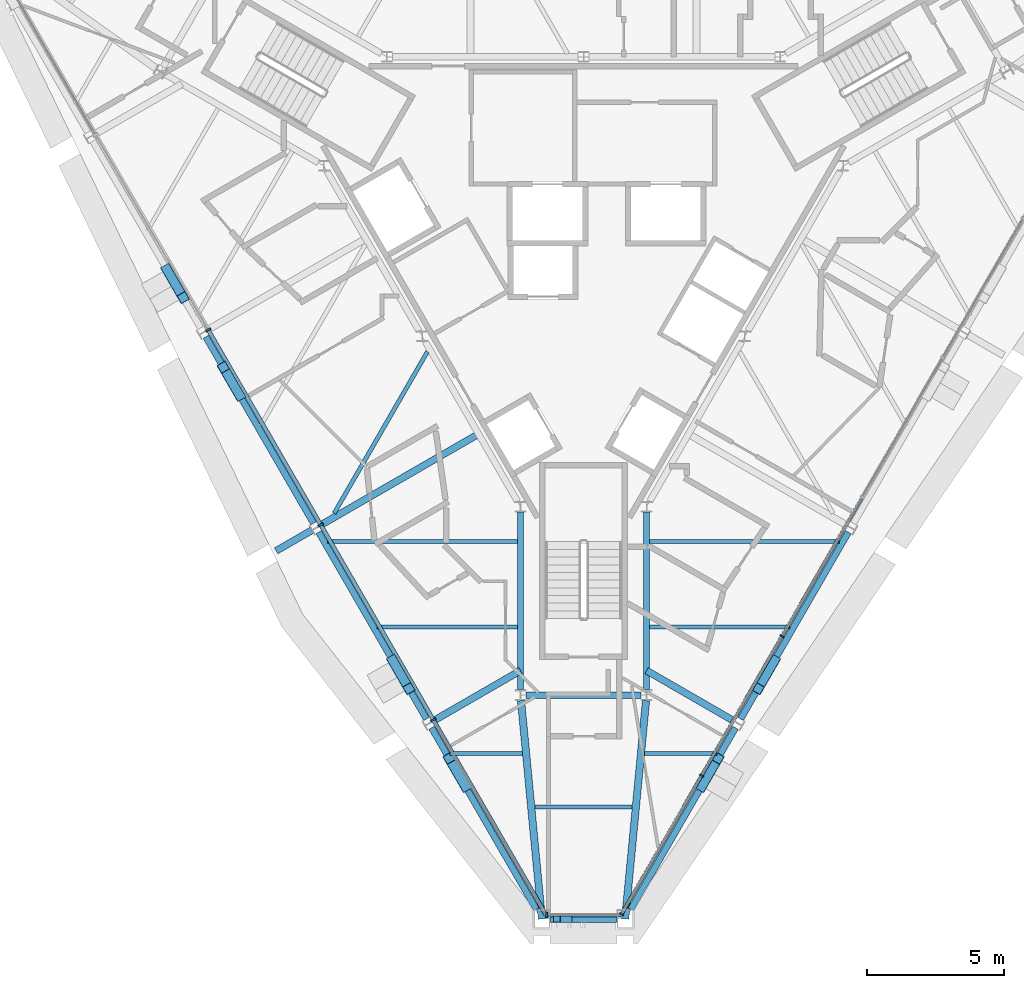
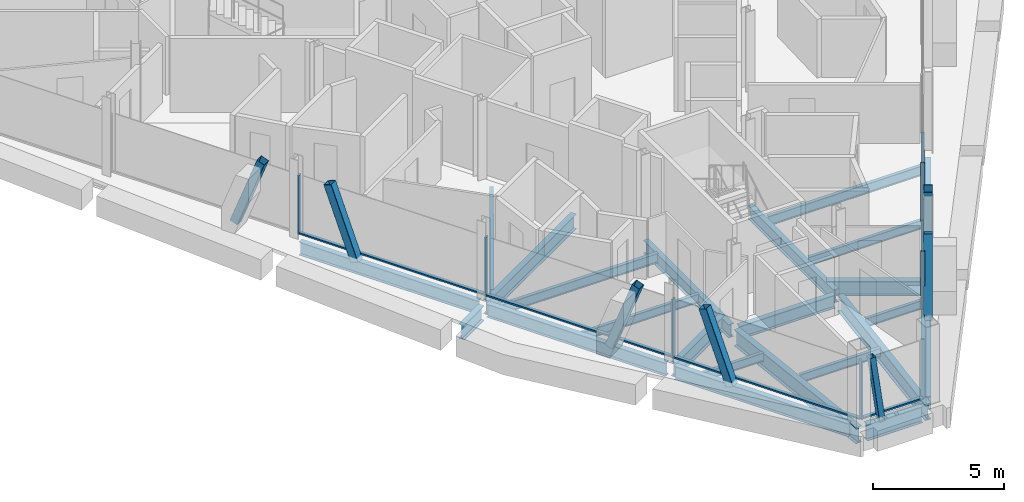
# One storey, part 3 of 15: 23 beams, 21 members, 3 elements without a shape of their own.
"""IFC4 building model written with IfcOpenShell, lengths in metres."""

from ifc_helpers import new_model, si_unit, direction, frame, origin, origin_2d, place, context, subcontext, project, spatial, rectangle, hollow_rectangle, i_section, extrude, material, material_profile, profile_set, type_object, element, aggregate, save


model = new_model("IFC4")

# Units and contexts
model_context = context("Model", 3, precision=1e-05, world=origin(), true_north=direction((0.0, 1.0)))
body_context = subcontext(model_context, "Body", "Model", "MODEL_VIEW")
ifc_project = project(units=[si_unit("LENGTHUNIT", "METRE"), si_unit("AREAUNIT", "SQUARE_METRE"), si_unit("VOLUMEUNIT", "CUBIC_METRE"), si_unit("PLANEANGLEUNIT", "RADIAN"), si_unit("MASSUNIT", "GRAM", prefix="KILO")], contexts=[model_context])

# Site, building, storey
site_placement = place(None, origin())
site = spatial("IfcSite", under=ifc_project, at=site_placement, CompositionType="ELEMENT")
building_placement = place(site_placement, origin())
building = spatial("IfcBuilding", under=site, at=building_placement, Name="Verrane Prism Tower", CompositionType="ELEMENT")
storey_placement = place(building_placement, frame((0.0, 0.0, 301.0)))
storey = spatial("IfcBuildingStorey", under=building, at=storey_placement, Name="L76", CompositionType="ELEMENT", Elevation=301.0)

# Member
ifc_material_1 = material(Name="Steel A500 Grade C", Category="steel")
ifc_material_profile_1 = material_profile(ifc_material_1, hollow_rectangle(XDim=0.25390625, YDim=0.25390625, WallThickness=0.009521484375, InnerFilletRadius=0.0048828125, OuterFilletRadius=0.014404296875, at=origin_2d()), Name="HSS10x10x3/8")
ifc_profile_set_1 = profile_set([ifc_material_profile_1], Name="Steel A500 Grade C")
member_type_1 = type_object("IfcMemberType", Name="Chamfer brace HSS10x10x3/8", PredefinedType="BRACE", material=ifc_profile_set_1)
member_1_placement = place(storey_placement, frame((-0.547119140625, -24.669921875, -0.24267578125), z_axis=(-0.135720914118, 0.0, 0.990747108737), x_axis=(0.0, -1.0, 0.0)))
element("IfcMember", 1, at=member_1_placement, inside=storey, type_object=member_type_1, Name="Chamfer brace S0 L76", PredefinedType="BRACE", context=body_context, shape_type="SweptSolid", body=[
    extrude(hollow_rectangle(XDim=0.25390625, YDim=0.25390625, WallThickness=0.009521484375, InnerFilletRadius=0.0048828125, OuterFilletRadius=0.014404296875, at=origin_2d()), origin(), (0.0, 0.0, 1.0), 3.13720703125),
])

# Beams
ifc_material_2 = material(Name="Steel A992", Category="steel")
ifc_material_profile_2 = material_profile(ifc_material_2, i_section(OverallWidth=0.2666015625, OverallDepth=0.7568359375, WebThickness=0.013916015625, FlangeThickness=0.019287109375, FilletRadius=0.0166015625, at=origin_2d()), Name="W30x108")
ifc_profile_set_2 = profile_set([ifc_material_profile_2], Name="Steel A992")
beam_type_1 = type_object("IfcBeamType", Name="Chamfer spandrel beam W30x108", PredefinedType="SPANDREL", material=ifc_profile_set_2)
beam_1_placement = place(storey_placement, frame((-1.219970703125, -24.669921875, -0.53857421875), z_axis=(1.0, 0.0, 0.0), x_axis=(0.0, 1.0, 0.0)))
element("IfcBeam", 2, at=beam_1_placement, inside=storey, type_object=beam_type_1, Name="Chamfer spandrel beam L76", PredefinedType="SPANDREL", context=body_context, shape_type="SweptSolid", body=[
    extrude(i_section(OverallWidth=0.2666015625, OverallDepth=0.7568359375, WebThickness=0.013916015625, FlangeThickness=0.019287109375, FilletRadius=0.0166015625, at=origin_2d()), origin(), (0.0, 0.0, 1.0), 2.43994140625),
])
ifc_material_3 = material(Name="Steel A992", Category="steel")
ifc_material_profile_3 = material_profile(ifc_material_3, i_section(OverallWidth=0.23046875, OverallDepth=0.6171875, WebThickness=0.01318359375, FlangeThickness=0.022216796875, FilletRadius=0.012939453125, at=origin_2d()), Name="W24x94")
ifc_profile_set_3 = profile_set([ifc_material_profile_3], Name="Steel A992")
beam_type_2 = type_object("IfcBeamType", Name="Core ring girder W24x94", PredefinedType="BEAM", material=ifc_profile_set_3)
beam_2_placement = place(storey_placement, frame((-2.300048828125, -9.81298828125, -0.55859375), z_axis=(0.0, -1.0, 0.0), x_axis=(1.0, 0.0, 0.0)))
element("IfcBeam", 3, at=beam_2_placement, inside=storey, type_object=beam_type_2, Name="Core ring girder L76", PredefinedType="BEAM", context=body_context, shape_type="SweptSolid", body=[
    extrude(i_section(OverallWidth=0.23046875, OverallDepth=0.6171875, WebThickness=0.01318359375, FlangeThickness=0.022216796875, FilletRadius=0.012939453125, at=origin_2d()), origin(), (0.0, 0.0, 1.0), 6.487548828125),
])
beam_3_placement = place(storey_placement, frame((-2.099365234375, -16.5, -0.55859375), z_axis=(1.0, 0.0, 0.0), x_axis=(0.0, 1.0, 0.0)))
element("IfcBeam", 4, at=beam_3_placement, inside=storey, type_object=beam_type_2, Name="Core ring girder L76", PredefinedType="BEAM", context=body_context, shape_type="SweptSolid", body=[
    extrude(i_section(OverallWidth=0.23046875, OverallDepth=0.6171875, WebThickness=0.01318359375, FlangeThickness=0.022216796875, FilletRadius=0.012939453125, at=origin_2d()), origin(), (0.0, 0.0, 1.0), 4.19873046875),
])
beam_4_placement = place(storey_placement, frame((2.300048828125, -16.300537109375, -0.55859375), z_axis=(0.0, 1.0, 0.0), x_axis=(-1.0, 0.0, 0.0)))
element("IfcBeam", 5, at=beam_4_placement, inside=storey, type_object=beam_type_2, Name="Core ring girder L76", PredefinedType="BEAM", context=body_context, shape_type="SweptSolid", body=[
    extrude(i_section(OverallWidth=0.23046875, OverallDepth=0.6171875, WebThickness=0.01318359375, FlangeThickness=0.022216796875, FilletRadius=0.012939453125, at=origin_2d()), origin(), (0.0, 0.0, 1.0), 6.487548828125),
])
ifc_material_4 = material(Name="Steel A992", Category="steel")
ifc_material_profile_4 = material_profile(ifc_material_4, i_section(OverallWidth=0.2666015625, OverallDepth=0.7568359375, WebThickness=0.013916015625, FlangeThickness=0.019287109375, FilletRadius=0.0166015625, at=origin_2d()), Name="W30x108")
ifc_profile_set_4 = profile_set([ifc_material_profile_4], Name="Steel A992")
beam_type_3 = type_object("IfcBeamType", Name="Corner girder W30x108", PredefinedType="BEAM", material=ifc_profile_set_4)
beam_5_placement = place(storey_placement, frame((-1.520263671875, -24.66748046875, -0.598388671875), z_axis=(-0.095042271293, 0.995473237545, 0.0), x_axis=(-0.995473237545, -0.095042271293, 0.0)))
element("IfcBeam", 6, at=beam_5_placement, inside=storey, type_object=beam_type_3, Name="Corner girder L76", PredefinedType="BEAM", context=body_context, shape_type="SweptSolid", body=[
    extrude(i_section(OverallWidth=0.2666015625, OverallDepth=0.7568359375, WebThickness=0.013916015625, FlangeThickness=0.019287109375, FilletRadius=0.0166015625, at=origin_2d()), origin(), (0.0, 0.0, 1.0), 8.004150390625),
])
beam_6_placement = place(storey_placement, frame((1.520263671875, -24.6669921875, -0.598388671875), z_axis=(0.095048043236, 0.995472686455, 0.0), x_axis=(-0.995472686455, 0.095048043236, 0.0)))
element("IfcBeam", 7, at=beam_6_placement, inside=storey, type_object=beam_type_3, Name="Corner girder L76", PredefinedType="BEAM", context=body_context, shape_type="SweptSolid", body=[
    extrude(i_section(OverallWidth=0.2666015625, OverallDepth=0.7568359375, WebThickness=0.013916015625, FlangeThickness=0.019287109375, FilletRadius=0.0166015625, at=origin_2d()), origin(), (0.0, 0.0, 1.0), 8.003662109375),
])

# Members
ifc_material_5 = material(Name="Steel A500 Grade C", Category="steel")
ifc_material_profile_5 = material_profile(ifc_material_5, hollow_rectangle(XDim=0.355712890625, YDim=0.355712890625, WallThickness=0.0126953125, InnerFilletRadius=0.00634765625, OuterFilletRadius=0.01904296875, at=origin_2d()), Name="HSS14x14x1/2")
ifc_profile_set_5 = profile_set([ifc_material_profile_5], Name="Steel A500 Grade C")
member_type_2 = type_object("IfcMemberType", Name="Facade brace HSS14x14x1/2", PredefinedType="BRACE", material=ifc_profile_set_5)
member_2_placement = place(storey_placement, frame((-15.20654296875, -0.9609375, -0.216796875), z_axis=(0.17399901277, -0.301526684269, 0.937446532997), x_axis=(0.86613421761, 0.499811481546, 0.0)))
element("IfcMember", 8, at=member_2_placement, inside=storey, type_object=member_type_2, Name="Facade brace SW1 L76", PredefinedType="BRACE", context=body_context, shape_type="SweptSolid", body=[
    extrude(hollow_rectangle(XDim=0.355712890625, YDim=0.355712890625, WallThickness=0.0126953125, InnerFilletRadius=0.00634765625, OuterFilletRadius=0.01904296875, at=origin_2d()), origin(), (0.0, 0.0, 1.0), 3.40966796875),
])
member_3_placement = place(storey_placement, frame((-12.553466796875, -5.555908203125, -0.216796875), z_axis=(-0.173952095241, 0.301139794354, 0.937579592791), x_axis=(-0.865914625179, -0.500191825104, 0.0)))
element("IfcMember", 9, at=member_3_placement, inside=storey, type_object=member_type_2, Name="Facade brace SW2 L76", PredefinedType="BRACE", context=body_context, shape_type="SweptSolid", body=[
    extrude(hollow_rectangle(XDim=0.355712890625, YDim=0.355712890625, WallThickness=0.0126953125, InnerFilletRadius=0.00634765625, OuterFilletRadius=0.01904296875, at=origin_2d()), origin(), (0.0, 0.0, 1.0), 3.4091796875),
])
member_4_placement = place(storey_placement, frame((-6.966552734375, -15.23095703125, -0.216796875), z_axis=(0.17399901277, -0.301526684269, 0.937446532997), x_axis=(0.86613421761, 0.499811481546, 0.0)))
element("IfcMember", 10, at=member_4_placement, inside=storey, type_object=member_type_2, Name="Facade brace SW3 L76", PredefinedType="BRACE", context=body_context, shape_type="SweptSolid", body=[
    extrude(hollow_rectangle(XDim=0.355712890625, YDim=0.355712890625, WallThickness=0.0126953125, InnerFilletRadius=0.00634765625, OuterFilletRadius=0.01904296875, at=origin_2d()), origin(), (0.0, 0.0, 1.0), 3.40966796875),
])
for number, where, z_axis, x_axis, name in (
    (11, (-4.3134765625, -19.8291015625, -0.216796875), (-0.173929574815, 0.301530440323, 0.937458210569), (-0.866223254293, -0.499657156181, 0.0), "Facade brace SW4 L76"),
    (12, (4.3134765625, -19.8291015625, -0.216796875), (0.173929574815, 0.301530440323, 0.937458210569), (-0.866223254293, 0.499657156181, 0.0), "Facade brace SE0 L76"),
):
    element("IfcMember", number, at=place(storey_placement, frame(where, z_axis=z_axis, x_axis=x_axis)), inside=storey, type_object=member_type_2, Name=name, PredefinedType="BRACE", context=body_context, shape_type="SweptSolid", body=[
        extrude(hollow_rectangle(XDim=0.355712890625, YDim=0.355712890625, WallThickness=0.0126953125, InnerFilletRadius=0.00634765625, OuterFilletRadius=0.01904296875, at=origin_2d()), origin(), (0.0, 0.0, 1.0), 3.409423828125),
    ])
member_5_placement = place(storey_placement, frame((6.966552734375, -15.23095703125, -0.216796875), z_axis=(-0.17399901277, -0.301526684269, 0.937446532997), x_axis=(0.86613421761, -0.499811481546, 0.0)))
element("IfcMember", 13, at=member_5_placement, inside=storey, type_object=member_type_2, Name="Facade brace SE1 L76", PredefinedType="BRACE", context=body_context, shape_type="SweptSolid", body=[
    extrude(hollow_rectangle(XDim=0.355712890625, YDim=0.355712890625, WallThickness=0.0126953125, InnerFilletRadius=0.00634765625, OuterFilletRadius=0.01904296875, at=origin_2d()), origin(), (0.0, 0.0, 1.0), 3.40966796875),
])

# Beams
ifc_material_6 = material(Name="Steel A992", Category="steel")
ifc_material_profile_6 = material_profile(ifc_material_6, i_section(OverallWidth=0.140380859375, OverallDepth=0.40380859375, WebThickness=0.007080078125, FlangeThickness=0.01123046875, FilletRadius=0.01025390625, at=origin_2d()), Name="W16x31")
ifc_profile_set_6 = profile_set([ifc_material_profile_6], Name="Steel A992")
beam_type_4 = type_object("IfcBeamType", Name="Floor beam W16x31", PredefinedType="BEAM", material=ifc_profile_set_6)
beam_7_placement = place(storey_placement, frame((-7.538330078125, -14.010009765625, -0.36181640625), z_axis=(1.0, 0.0, 0.0), x_axis=(0.0, 1.0, 0.0)))
element("IfcBeam", 14, at=beam_7_placement, inside=storey, type_object=beam_type_4, Name="Floor beam L76", PredefinedType="BEAM", context=body_context, shape_type="SweptSolid", body=[
    extrude(i_section(OverallWidth=0.140380859375, OverallDepth=0.40380859375, WebThickness=0.007080078125, FlangeThickness=0.01123046875, FilletRadius=0.01025390625, at=origin_2d()), origin(), (0.0, 0.0, 1.0), 5.123291015625),
])
for number, where, z_axis, x_axis, name in (
    (15, (-4.876220703125, -18.623291015625, -0.36181640625), (1.0, 0.0, 0.0), (0.0, 1.0, 0.0), "Floor beam L76"),
    (16, (2.2314453125, -18.623291015625, -0.36181640625), (1.0, 0.0, 0.0), (0.0, 1.0, 0.0), "Floor beam L76"),
):
    element("IfcBeam", number, at=place(storey_placement, frame(where, z_axis=z_axis, x_axis=x_axis)), inside=storey, type_object=beam_type_4, Name=name, PredefinedType="BEAM", context=body_context, shape_type="SweptSolid", body=[
        extrude(i_section(OverallWidth=0.140380859375, OverallDepth=0.40380859375, WebThickness=0.007080078125, FlangeThickness=0.01123046875, FilletRadius=0.01025390625, at=origin_2d()), origin(), (0.0, 0.0, 1.0), 2.644775390625),
    ])
beam_8_placement = place(storey_placement, frame((2.4150390625, -14.010009765625, -0.36181640625), z_axis=(1.0, 0.0, 0.0), x_axis=(0.0, 1.0, 0.0)))
element("IfcBeam", 17, at=beam_8_placement, inside=storey, type_object=beam_type_4, Name="Floor beam L76", PredefinedType="BEAM", context=body_context, shape_type="SweptSolid", body=[
    extrude(i_section(OverallWidth=0.140380859375, OverallDepth=0.40380859375, WebThickness=0.007080078125, FlangeThickness=0.01123046875, FilletRadius=0.01025390625, at=origin_2d()), origin(), (0.0, 0.0, 1.0), 5.123291015625),
])
beam_9_placement = place(storey_placement, frame((-1.77587890625, -20.5849609375, -0.36181640625), z_axis=(1.0, 0.0, 0.0), x_axis=(0.0, 1.0, 0.0)))
element("IfcBeam", 18, at=beam_9_placement, inside=storey, type_object=beam_type_4, Name="Floor beam L76", PredefinedType="BEAM", context=body_context, shape_type="SweptSolid", body=[
    extrude(i_section(OverallWidth=0.140380859375, OverallDepth=0.40380859375, WebThickness=0.007080078125, FlangeThickness=0.01123046875, FilletRadius=0.01025390625, at=origin_2d()), origin(), (0.0, 0.0, 1.0), 3.5517578125),
])
ifc_material_7 = material(Name="Steel A992", Category="steel")
ifc_material_profile_7 = material_profile(ifc_material_7, i_section(OverallWidth=0.15234375, OverallDepth=0.449462890625, WebThickness=0.007568359375, FlangeThickness=0.0107421875, FilletRadius=0.01025390625, at=origin_2d()), Name="W18x35")
ifc_profile_set_7 = profile_set([ifc_material_profile_7], Name="Steel A992")
beam_type_5 = type_object("IfcBeamType", Name="Floor beam W18x35", PredefinedType="BEAM", material=ifc_profile_set_7)
beam_10_placement = place(storey_placement, frame((-9.103271484375, -9.864501953125, -0.384765625), z_axis=(0.49999337185, 0.866029230515, 0.0), x_axis=(-0.866029230515, 0.49999337185, 0.0)))
element("IfcBeam", 19, at=beam_10_placement, inside=storey, type_object=beam_type_5, Name="Floor beam L76", PredefinedType="BEAM", context=body_context, shape_type="SweptSolid", body=[
    extrude(i_section(OverallWidth=0.15234375, OverallDepth=0.449462890625, WebThickness=0.007568359375, FlangeThickness=0.0107421875, FilletRadius=0.01025390625, at=origin_2d()), origin(), (0.0, 0.0, 1.0), 6.8125),
])
for number, where, z_axis, x_axis, name in (
    (20, (-9.338623046875, -10.889892578125, -0.384765625), (1.0, 0.0, 0.0), (0.0, 1.0, 0.0), "Floor beam L76"),
    (21, (2.4150390625, -10.889892578125, -0.384765625), (1.0, 0.0, 0.0), (0.0, 1.0, 0.0), "Floor beam L76"),
):
    element("IfcBeam", number, at=place(storey_placement, frame(where, z_axis=z_axis, x_axis=x_axis)), inside=storey, type_object=beam_type_5, Name=name, PredefinedType="BEAM", context=body_context, shape_type="SweptSolid", body=[
        extrude(i_section(OverallWidth=0.15234375, OverallDepth=0.449462890625, WebThickness=0.007568359375, FlangeThickness=0.0107421875, FilletRadius=0.01025390625, at=origin_2d()), origin(), (0.0, 0.0, 1.0), 6.923583984375),
    ])

# Curtain wall, members
ifc_material_8 = material(Name="Aluminium framed insulated glazing", Category="aluminium")
curtain_wall_type_1 = type_object("IfcCurtainWallType", Name="Curtain wall CW-B 5600 module", PredefinedType="NOTDEFINED", material=ifc_material_8)
curtain_wall_1_placement = place(storey_placement, origin())
curtain_wall_1 = element("IfcCurtainWall", 22, at=curtain_wall_1_placement, inside=storey, type_object=curtain_wall_type_1, Name="Glazed curtain wall south-east face L76", PredefinedType="NOTDEFINED")
ifc_material_9 = material(Name="Aluminium alloy 6063-T6", Category="aluminium")
ifc_material_profile_8 = material_profile(ifc_material_9, rectangle(XDim=0.159912109375, YDim=0.06005859375, at=origin_2d()), Name="Mullion 60x160 aluminium")
ifc_profile_set_8 = profile_set([ifc_material_profile_8], Name="Aluminium alloy 6063-T6")
member_type_3 = type_object("IfcMemberType", Name="Mullion 60x160 aluminium", PredefinedType="MULLION", material=ifc_profile_set_8)
member_6_placement = place(storey_placement, frame((1.3876953125, -24.490966796875, 0.0), z_axis=(0.0, 0.0, 1.0), x_axis=(-0.866024861728, 0.500000938868, 0.0)))
member_6 = element("IfcMember", 23, at=member_6_placement, type_object=member_type_3, Name="CW75.6 mullion 1", PredefinedType="MULLION", context=body_context, shape_type="SweptSolid", body=[
    extrude(rectangle(XDim=0.159912109375, YDim=0.06005859375, at=origin_2d()), origin(), (0.0, 0.0, 1.0), 2.72314453125),
])
member_7_placement = place(storey_placement, frame((4.307861328125, -19.43310546875, 0.0), z_axis=(0.0, 0.0, 1.0), x_axis=(-0.866024861728, 0.500000938868, 0.0)))
member_7 = element("IfcMember", 24, at=member_7_placement, type_object=member_type_3, Name="CW75.6 mullion 2", PredefinedType="MULLION", context=body_context, shape_type="SweptSolid", body=[
    extrude(rectangle(XDim=0.159912109375, YDim=0.06005859375, at=origin_2d()), origin(), (0.0, 0.0, 1.0), 2.72314453125),
])
member_8_placement = place(storey_placement, frame((7.242919921875, -14.349365234375, 0.0), z_axis=(0.0, 0.0, 1.0), x_axis=(-0.866024861728, 0.500000938868, 0.0)))
member_8 = element("IfcMember", 25, at=member_8_placement, type_object=member_type_3, Name="CW75.6 mullion 3", PredefinedType="MULLION", context=body_context, shape_type="SweptSolid", body=[
    extrude(rectangle(XDim=0.159912109375, YDim=0.06005859375, at=origin_2d()), origin(), (0.0, 0.0, 1.0), 2.72314453125),
])

ifc_material_10 = material(Name="Aluminium framed insulated glazing", Category="aluminium")
curtain_wall_type_2 = type_object("IfcCurtainWallType", Name="Curtain wall CW-A 8400 module", PredefinedType="NOTDEFINED", material=ifc_material_10)
curtain_wall_2_placement = place(storey_placement, origin())
curtain_wall_2 = element("IfcCurtainWall", 26, at=curtain_wall_2_placement, inside=storey, type_object=curtain_wall_type_2, Name="Glazed curtain wall south-west face L76", PredefinedType="NOTDEFINED")
ifc_material_11 = material(Name="Aluminium alloy 6063-T6", Category="aluminium")
ifc_material_profile_9 = material_profile(ifc_material_11, rectangle(XDim=0.199951171875, YDim=0.070068359375, at=origin_2d()), Name="Mullion 70x200 aluminium")
ifc_profile_set_9 = profile_set([ifc_material_profile_9], Name="Aluminium alloy 6063-T6")
member_type_4 = type_object("IfcMemberType", Name="Mullion 70x200 aluminium", PredefinedType="MULLION", material=ifc_profile_set_9)
member_9_placement = place(storey_placement, frame((-13.7001953125, -3.1650390625, 0.0), z_axis=(0.0, 0.0, 1.0), x_axis=(0.866024861728, 0.500000938868, 0.0)))
member_9 = element("IfcMember", 27, at=member_9_placement, type_object=member_type_4, Name="CW75.4 mullion 3", PredefinedType="MULLION", context=body_context, shape_type="SweptSolid", body=[
    extrude(rectangle(XDim=0.199951171875, YDim=0.070068359375, at=origin_2d()), origin(), (0.0, 0.0, 1.0), 2.72314453125),
])
member_10_placement = place(storey_placement, frame((-9.591064453125, -10.2822265625, 0.0), z_axis=(0.0, 0.0, 1.0), x_axis=(0.866024861728, 0.500000938868, 0.0)))
member_10 = element("IfcMember", 28, at=member_10_placement, type_object=member_type_4, Name="CW75.4 mullion 4", PredefinedType="MULLION", context=body_context, shape_type="SweptSolid", body=[
    extrude(rectangle(XDim=0.199951171875, YDim=0.070068359375, at=origin_2d()), origin(), (0.0, 0.0, 1.0), 2.72314453125),
])
member_11_placement = place(storey_placement, frame((-5.48193359375, -17.399658203125, 0.0), z_axis=(0.0, 0.0, 1.0), x_axis=(0.866024861728, 0.500000938868, 0.0)))
member_11 = element("IfcMember", 29, at=member_11_placement, type_object=member_type_4, Name="CW75.4 mullion 5", PredefinedType="MULLION", context=body_context, shape_type="SweptSolid", body=[
    extrude(rectangle(XDim=0.199951171875, YDim=0.070068359375, at=origin_2d()), origin(), (0.0, 0.0, 1.0), 2.72314453125),
])

# Curtain wall, member
curtain_wall_3_placement = place(storey_placement, origin())
curtain_wall_3 = element("IfcCurtainWall", 30, at=curtain_wall_3_placement, inside=storey, type_object=curtain_wall_type_2, Name="Glazed curtain wall south corner L76", PredefinedType="NOTDEFINED")
member_12_placement = place(storey_placement, frame((-1.337646484375, -24.51708984375, 0.0), z_axis=(0.0, 0.0, 1.0), x_axis=(0.0, 1.0, 0.0)))
member_12 = element("IfcMember", 31, at=member_12_placement, type_object=member_type_4, Name="CW75.5 mullion 1", PredefinedType="MULLION", context=body_context, shape_type="SweptSolid", body=[
    extrude(rectangle(XDim=0.199951171875, YDim=0.070068359375, at=origin_2d()), origin(), (0.0, 0.0, 1.0), 2.72314453125),
])

# Beams
ifc_material_12 = material(Name="Steel A992", Category="steel")
ifc_material_profile_10 = material_profile(ifc_material_12, i_section(OverallWidth=0.25390625, OverallDepth=0.683349609375, WebThickness=0.012451171875, FlangeThickness=0.01904296875, FilletRadius=0.01513671875, at=origin_2d()), Name="W27x94")
ifc_profile_set_10 = profile_set([ifc_material_profile_10], Name="Steel A992")
beam_type_6 = type_object("IfcBeamType", Name="Radial girder W27x94", PredefinedType="BEAM", material=ifc_profile_set_10)
beam_11_placement = place(storey_placement, frame((-9.6005859375, -10.2978515625, -0.5615234375), z_axis=(0.866031183428, 0.49998998923, 0.0), x_axis=(-0.49998998923, 0.866031183428, 0.0)))
element("IfcBeam", 32, at=beam_11_placement, inside=storey, type_object=beam_type_6, Name="Radial girder L76", PredefinedType="BEAM", context=body_context, shape_type="SweptSolid", body=[
    extrude(i_section(OverallWidth=0.25390625, OverallDepth=0.683349609375, WebThickness=0.012451171875, FlangeThickness=0.01904296875, FilletRadius=0.01513671875, at=origin_2d()), origin(), (0.0, 0.0, 1.0), 6.661865234375),
])
for number, where, z_axis, x_axis, name in (
    (33, (-5.48046875, -17.43798828125, -0.5615234375), (0.866029490193, 0.499992922065, 0.0), (-0.499992922065, 0.866029490193, 0.0), "Radial girder L76"),
    (34, (5.48046875, -17.43798828125, -0.5615234375), (-0.866029490193, 0.499992922065, 0.0), (-0.499992922065, -0.866029490193, 0.0), "Radial girder L76"),
):
    element("IfcBeam", number, at=place(storey_placement, frame(where, z_axis=z_axis, x_axis=x_axis)), inside=storey, type_object=beam_type_6, Name=name, PredefinedType="BEAM", context=body_context, shape_type="SweptSolid", body=[
        extrude(i_section(OverallWidth=0.25390625, OverallDepth=0.683349609375, WebThickness=0.012451171875, FlangeThickness=0.01904296875, FilletRadius=0.01513671875, at=origin_2d()), origin(), (0.0, 0.0, 1.0), 3.67236328125),
    ])
beam_12_placement = place(storey_placement, frame((-9.916015625, -10.47998046875, -0.5615234375), z_axis=(-0.86598839376, -0.500064097764, 0.0), x_axis=(0.500064097764, -0.86598839376, 0.0)))
element("IfcBeam", 35, at=beam_12_placement, inside=storey, type_object=beam_type_6, Name="Cantilever girder L76", PredefinedType="BEAM", context=body_context, shape_type="SweptSolid", body=[
    extrude(i_section(OverallWidth=0.25390625, OverallDepth=0.683349609375, WebThickness=0.012451171875, FlangeThickness=0.01904296875, FilletRadius=0.01513671875, at=origin_2d()), origin(), (0.0, 0.0, 1.0), 1.505126953125),
])
ifc_material_13 = material(Name="Steel A992", Category="steel")
ifc_material_profile_11 = material_profile(ifc_material_13, i_section(OverallWidth=0.23046875, OverallDepth=0.6171875, WebThickness=0.01318359375, FlangeThickness=0.022216796875, FilletRadius=0.012939453125, at=origin_2d()), Name="W24x94")
ifc_profile_set_11 = profile_set([ifc_material_profile_11], Name="Steel A992")
beam_type_7 = type_object("IfcBeamType", Name="Spandrel beam W24x94", PredefinedType="SPANDREL", material=ifc_profile_set_11)
beam_13_placement = place(storey_placement, frame((-13.78662109375, -3.421630859375, -0.468505859375), z_axis=(0.500300363133, -0.865851919585, 0.0), x_axis=(0.865851919585, 0.500300363133, 0.0)))
element("IfcBeam", 36, at=beam_13_placement, inside=storey, type_object=beam_type_7, Name="Spandrel beam L76", PredefinedType="SPANDREL", context=body_context, shape_type="SweptSolid", body=[
    extrude(i_section(OverallWidth=0.23046875, OverallDepth=0.6171875, WebThickness=0.01318359375, FlangeThickness=0.022216796875, FilletRadius=0.012939453125, at=origin_2d()), origin(), (0.0, 0.0, 1.0), 7.861572265625),
])
beam_14_placement = place(storey_placement, frame((-9.666748046875, -10.5517578125, -0.468505859375), z_axis=(0.499786009893, -0.866148915785, 0.0), x_axis=(0.866148915785, 0.499786009893, 0.0)))
element("IfcBeam", 37, at=beam_14_placement, inside=storey, type_object=beam_type_7, Name="Spandrel beam L76", PredefinedType="SPANDREL", context=body_context, shape_type="SweptSolid", body=[
    extrude(i_section(OverallWidth=0.23046875, OverallDepth=0.6171875, WebThickness=0.01318359375, FlangeThickness=0.022216796875, FilletRadius=0.012939453125, at=origin_2d()), origin(), (0.0, 0.0, 1.0), 7.8701171875),
])
for number, where, z_axis, x_axis, name in (
    (38, (-5.546630859375, -17.691650390625, -0.468505859375), (0.499783212018, -0.866150530211, 0.0), (0.866150530211, 0.499783212018, 0.0), "Spandrel beam L76"),
    (39, (1.721923828125, -24.320068359375, -0.468505859375), (0.499783212018, 0.866150530211, 0.0), (-0.866150530211, 0.499783212018, 0.0), "Spandrel beam L76"),
):
    element("IfcBeam", number, at=place(storey_placement, frame(where, z_axis=z_axis, x_axis=x_axis)), inside=storey, type_object=beam_type_7, Name=name, PredefinedType="SPANDREL", context=body_context, shape_type="SweptSolid", body=[
        extrude(i_section(OverallWidth=0.23046875, OverallDepth=0.6171875, WebThickness=0.01318359375, FlangeThickness=0.022216796875, FilletRadius=0.012939453125, at=origin_2d()), origin(), (0.0, 0.0, 1.0), 7.65283203125),
    ])
beam_15_placement = place(storey_placement, frame((5.7333984375, -17.368408203125, -0.468505859375), z_axis=(0.499786009893, 0.866148915785, 0.0), x_axis=(-0.866148915785, 0.499786009893, 0.0)))
element("IfcBeam", 40, at=beam_15_placement, inside=storey, type_object=beam_type_7, Name="Spandrel beam L76", PredefinedType="SPANDREL", context=body_context, shape_type="SweptSolid", body=[
    extrude(i_section(OverallWidth=0.23046875, OverallDepth=0.6171875, WebThickness=0.01318359375, FlangeThickness=0.022216796875, FilletRadius=0.012939453125, at=origin_2d()), origin(), (0.0, 0.0, 1.0), 7.8701171875),
])

# Member
ifc_material_14 = material(Name="Aluminium alloy 6063-T6", Category="aluminium")
ifc_material_profile_12 = material_profile(ifc_material_14, rectangle(XDim=0.1201171875, YDim=0.06005859375, at=origin_2d()), Name="Transom 60x120 aluminium")
ifc_profile_set_12 = profile_set([ifc_material_profile_12], Name="Aluminium alloy 6063-T6")
member_type_5 = type_object("IfcMemberType", Name="Transom 60x120 aluminium", PredefinedType="USERDEFINED", material=ifc_profile_set_12)
member_13_placement = place(storey_placement, frame((1.402587890625, -24.465087890625, 0.030029296875), z_axis=(0.500000319328, 0.86602521942, 0.0), x_axis=(-0.86602521942, 0.500000319328, 0.0)))
member_13 = element("IfcMember", 41, at=member_13_placement, type_object=member_type_5, Name="CW75.6 transom 1", ObjectType="TRANSOM", PredefinedType="USERDEFINED", context=body_context, shape_type="SweptSolid", body=[
    extrude(rectangle(XDim=0.1201171875, YDim=0.06005859375, at=origin_2d()), origin(), (0.0, 0.0, 1.0), 5.7802734375),
])

member_14_placement = place(storey_placement, frame((4.32275390625, -19.4072265625, 0.030029296875), z_axis=(0.500007361489, 0.866021153585, 0.0), x_axis=(-0.866021153585, 0.500007361489, 0.0)))
member_14 = element("IfcMember", 42, at=member_14_placement, type_object=member_type_5, Name="CW75.6 transom 2", ObjectType="TRANSOM", PredefinedType="USERDEFINED", context=body_context, shape_type="SweptSolid", body=[
    extrude(rectangle(XDim=0.1201171875, YDim=0.06005859375, at=origin_2d()), origin(), (0.0, 0.0, 1.0), 5.810546875),
])

member_15_placement = place(storey_placement, frame((7.2578125, -14.3232421875, 0.030029296875), z_axis=(0.500025556299, 0.866010648346, 0.0), x_axis=(-0.866010648346, 0.500025556299, 0.0)))
member_15 = element("IfcMember", 43, at=member_15_placement, type_object=member_type_5, Name="CW75.6 transom 3", ObjectType="TRANSOM", PredefinedType="USERDEFINED", context=body_context, shape_type="SweptSolid", body=[
    extrude(rectangle(XDim=0.1201171875, YDim=0.06005859375, at=origin_2d()), origin(), (0.0, 0.0, 1.0), 5.810302734375),
])

aggregate(curtain_wall_1, [member_6, member_7, member_8, member_13, member_14, member_15])

ifc_material_15 = material(Name="Aluminium alloy 6063-T6", Category="aluminium")
ifc_material_profile_13 = material_profile(ifc_material_15, rectangle(XDim=0.14990234375, YDim=0.070068359375, at=origin_2d()), Name="Transom 70x150 aluminium")
ifc_profile_set_13 = profile_set([ifc_material_profile_13], Name="Aluminium alloy 6063-T6")
member_type_6 = type_object("IfcMemberType", Name="Transom 70x150 aluminium", PredefinedType="USERDEFINED", material=ifc_profile_set_13)
member_16_placement = place(storey_placement, frame((-13.682861328125, -3.1953125, 0.034912109375), z_axis=(0.500006018292, -0.866021929094, 0.0), x_axis=(0.866021929094, 0.500006018292, 0.0)))
member_16 = element("IfcMember", 44, at=member_16_placement, type_object=member_type_6, Name="CW75.4 transom 3", ObjectType="TRANSOM", PredefinedType="USERDEFINED", context=body_context, shape_type="SweptSolid", body=[
    extrude(rectangle(XDim=0.14990234375, YDim=0.070068359375, at=origin_2d()), origin(), (0.0, 0.0, 1.0), 8.1484375),
])

member_17_placement = place(storey_placement, frame((-9.573486328125, -10.3125, 0.034912109375), z_axis=(0.499993044538, -0.866029419485, 0.0), x_axis=(0.866029419485, 0.499993044538, 0.0)))
member_17 = element("IfcMember", 45, at=member_17_placement, type_object=member_type_6, Name="CW75.4 transom 4", ObjectType="TRANSOM", PredefinedType="USERDEFINED", context=body_context, shape_type="SweptSolid", body=[
    extrude(rectangle(XDim=0.14990234375, YDim=0.070068359375, at=origin_2d()), origin(), (0.0, 0.0, 1.0), 8.1484375),
])

member_18_placement = place(storey_placement, frame((-5.46435546875, -17.429931640625, 0.034912109375), z_axis=(0.500002215902, -0.866024124429, 0.0), x_axis=(0.866024124429, 0.500002215902, 0.0)))
member_18 = element("IfcMember", 46, at=member_18_placement, type_object=member_type_6, Name="CW75.4 transom 5", ObjectType="TRANSOM", PredefinedType="USERDEFINED", context=body_context, shape_type="SweptSolid", body=[
    extrude(rectangle(XDim=0.14990234375, YDim=0.070068359375, at=origin_2d()), origin(), (0.0, 0.0, 1.0), 8.18359375),
])

aggregate(curtain_wall_2, [member_9, member_10, member_11, member_16, member_17, member_18])

member_19_placement = place(storey_placement, frame((-1.302490234375, -24.51708984375, 0.034912109375), z_axis=(1.0, 0.0, 0.0), x_axis=(0.0, 1.0, 0.0)))
member_19 = element("IfcMember", 47, at=member_19_placement, type_object=member_type_6, Name="CW75.5 transom 1", ObjectType="TRANSOM", PredefinedType="USERDEFINED", context=body_context, shape_type="SweptSolid", body=[
    extrude(rectangle(XDim=0.14990234375, YDim=0.070068359375, at=origin_2d()), origin(), (0.0, 0.0, 1.0), 2.675048828125),
])

aggregate(curtain_wall_3, [member_12, member_19])

save(model, "model.ifc")
